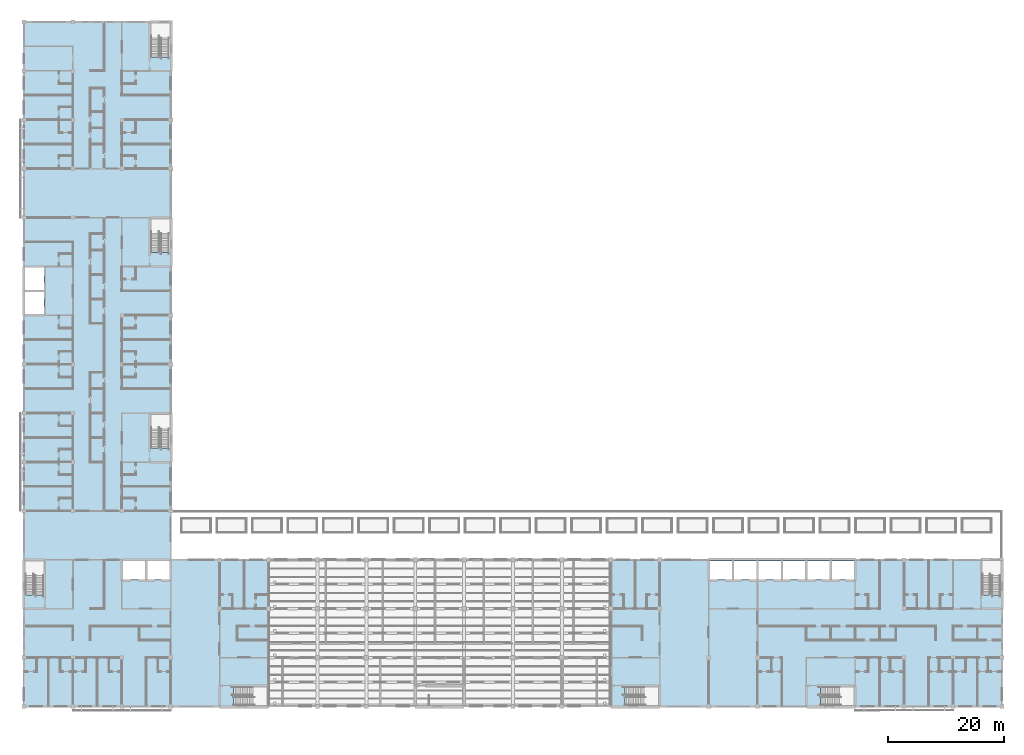
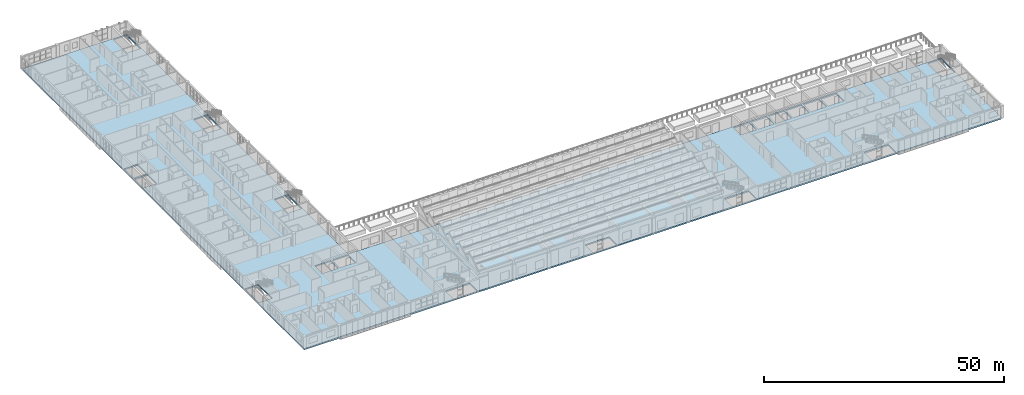
# One storey, part 24 of 61: 1 slab.
"""IFC4 building model written with IfcOpenShell, lengths in metres."""

from ifc_helpers import new_model, si_unit, direction, frame, origin, place, context, subcontext, project, spatial, polyline, outline, extrude, material, layer, layer_set, type_object, element, save


model = new_model("IFC4")

# Units and contexts
model_context = context("Model", 3, precision=1e-05, world=origin(), true_north=direction((0.0, 1.0)))
body_context = subcontext(model_context, "Body", "Model", "MODEL_VIEW")
ifc_project = project(units=[si_unit("LENGTHUNIT", "METRE"), si_unit("AREAUNIT", "SQUARE_METRE"), si_unit("VOLUMEUNIT", "CUBIC_METRE"), si_unit("PLANEANGLEUNIT", "RADIAN"), si_unit("MASSUNIT", "GRAM", prefix="KILO")], contexts=[model_context])

# Site, building, storey
site_placement = place(None, origin())
site = spatial("IfcSite", under=ifc_project, at=site_placement, CompositionType="ELEMENT")
building_placement = place(site_placement, origin())
building = spatial("IfcBuilding", under=site, at=building_placement, Name="Yavir Park General Hospital", CompositionType="ELEMENT")
storey_placement = place(building_placement, frame((0.0, 0.0, 15.300048828125)))
storey = spatial("IfcBuildingStorey", under=building, at=storey_placement, Name="L03", CompositionType="ELEMENT", Elevation=15.300048828125)

# Slab
ifc_material = material(Name="Concrete C35/45", Category="concrete")
ifc_layer = layer(ifc_material, 0.360107421875)
ifc_layer_set = layer_set([ifc_layer], Name="Concrete C35/45")
slab_type = type_object("IfcSlabType", Name="RC SLAB FLOOR 360", PredefinedType="FLOOR", material=ifc_layer_set)
slab_placement = place(storey_placement, frame((0.0, 0.0, -0.360107421875)))
element("IfcSlab", 1, at=slab_placement, inside=storey, type_object=slab_type, Name="S:L03:0", PredefinedType="FLOOR", context=body_context, shape_type="SweptSolid", body=[
    extrude(outline(polyline([(0.0, 117.60009765625), (0.0, 0.0), (168.0, 0.0), (168.0, 25.199951171875), (25.199951171875, 25.199951171875), (25.199951171875, 117.60009765625), (0.0, 117.60009765625)]), holes=[polyline([(17.0, 21.800048828125), (17.0, 25.0), (20.800048828125, 25.0), (20.800048828125, 21.800048828125), (17.0, 21.800048828125)]), polyline([(21.199951171875, 21.800048828125), (21.199951171875, 25.0), (25.0, 25.0), (25.0, 21.800048828125), (21.199951171875, 21.800048828125)]), polyline([(0.199951171875, 67.39990234375), (0.199951171875, 71.199951171875), (3.39990234375, 71.199951171875), (3.39990234375, 67.39990234375), (0.199951171875, 67.39990234375)]), polyline([(0.199951171875, 75.39990234375), (3.39990234375, 75.39990234375), (3.39990234375, 71.60009765625), (0.199951171875, 71.60009765625), (0.199951171875, 75.39990234375)]), polyline([(117.800048828125, 25.0), (121.60009765625, 25.0), (121.60009765625, 21.800048828125), (117.800048828125, 21.800048828125), (117.800048828125, 25.0)]), polyline([(122.0, 21.800048828125), (122.0, 25.0), (125.800048828125, 25.0), (125.800048828125, 21.800048828125), (122.0, 21.800048828125)]), polyline([(126.199951171875, 21.800048828125), (126.199951171875, 25.0), (130.0, 25.0), (130.0, 21.800048828125), (126.199951171875, 21.800048828125)]), polyline([(130.39990234375, 21.800048828125), (130.39990234375, 25.0), (134.199951171875, 25.0), (134.199951171875, 21.800048828125), (130.39990234375, 21.800048828125)]), polyline([(134.60009765625, 25.0), (138.39990234375, 25.0), (138.39990234375, 21.800048828125), (134.60009765625, 21.800048828125), (134.60009765625, 25.0)]), polyline([(138.800048828125, 25.0), (142.60009765625, 25.0), (142.60009765625, 21.800048828125), (138.800048828125, 21.800048828125), (138.800048828125, 25.0)]), polyline([(3.39990234375, 19.201416015625), (0.14990234375, 19.201416015625), (0.14990234375, 25.0), (3.39990234375, 25.0), (3.39990234375, 19.201416015625)]), polyline([(36.00146484375, 3.39990234375), (41.800048828125, 3.39990234375), (41.800048828125, 0.14990234375), (36.00146484375, 0.14990234375), (36.00146484375, 3.39990234375)]), polyline([(75.39990234375, 0.14990234375), (69.6015625, 0.14990234375), (69.6015625, 3.39990234375), (75.39990234375, 3.39990234375), (75.39990234375, 0.14990234375)]), polyline([(103.201416015625, 3.39990234375), (109.0, 3.39990234375), (109.0, 0.14990234375), (103.201416015625, 0.14990234375), (103.201416015625, 3.39990234375)]), polyline([(142.60009765625, 0.14990234375), (136.801513671875, 0.14990234375), (136.801513671875, 3.39990234375), (142.60009765625, 3.39990234375), (142.60009765625, 0.14990234375)]), polyline([(164.60009765625, 25.0), (167.85009765625, 25.0), (167.85009765625, 19.201416015625), (164.60009765625, 19.201416015625), (164.60009765625, 25.0)]), polyline([(25.050048828125, 44.401611328125), (21.800048828125, 44.401611328125), (21.800048828125, 50.199951171875), (25.050048828125, 50.199951171875), (25.050048828125, 44.401611328125)]), polyline([(21.800048828125, 83.800048828125), (25.050048828125, 83.800048828125), (25.050048828125, 78.00146484375), (21.800048828125, 78.00146484375), (21.800048828125, 83.800048828125)]), polyline([(25.050048828125, 111.6015625), (21.800048828125, 111.6015625), (21.800048828125, 117.449951171875), (25.050048828125, 117.449951171875), (25.050048828125, 111.6015625)])]), origin(), (0.0, 0.0, 1.0), 0.360107421875),
])

save(model, "model.ifc")
